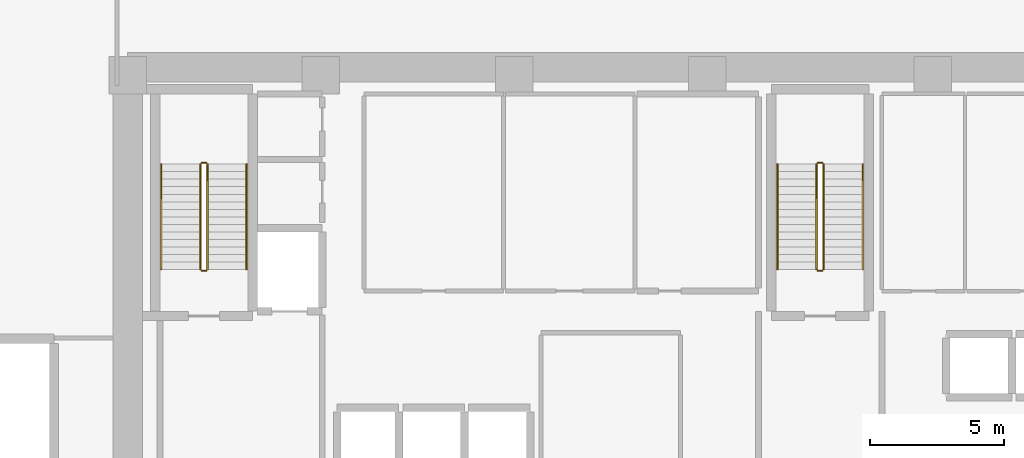
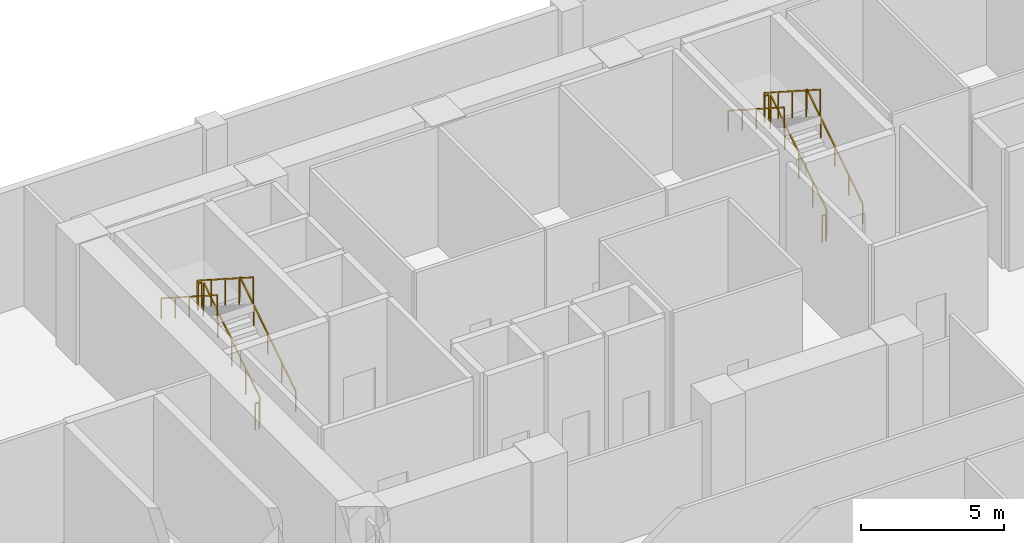
# One storey, part 24 of 25: 12 railings.
"""IFC4 building model written with IfcOpenShell, lengths in metres."""

from ifc_helpers import new_model, si_unit, direction, frame, origin, origin_2d, place, context, subcontext, project, spatial, rectangle, extrude, material, type_object, element, save


model = new_model("IFC4")

# Units and contexts
model_context = context("Model", 3, precision=1e-05, world=origin(), true_north=direction((0.0, 1.0)))
body_context = subcontext(model_context, "Body", "Model", "MODEL_VIEW")
ifc_project = project(units=[si_unit("LENGTHUNIT", "METRE"), si_unit("AREAUNIT", "SQUARE_METRE"), si_unit("VOLUMEUNIT", "CUBIC_METRE"), si_unit("PLANEANGLEUNIT", "RADIAN"), si_unit("MASSUNIT", "GRAM", prefix="KILO")], contexts=[model_context])

# Site, building, storey
site_placement = place(None, origin())
site = spatial("IfcSite", under=ifc_project, at=site_placement, CompositionType="ELEMENT")
building_placement = place(site_placement, origin())
building = spatial("IfcBuilding", under=site, at=building_placement, Name="Kaelvorn Grand Hotel", CompositionType="ELEMENT")
storey_placement = place(building_placement, frame((0.0, 0.0, 26.0)))
storey = spatial("IfcBuildingStorey", under=building, at=storey_placement, Name="L04", CompositionType="ELEMENT", Elevation=26.0)

# Railings
ifc_material = material(Name="Stainless Steel", Category="steel")
railing_type_1 = type_object("IfcRailingType", Name="RL-HANDRAIL-900", PredefinedType="HANDRAIL", material=ifc_material)
railing_1_placement = place(storey_placement, frame((20.6298828125, 41.760009765625, 0.179931640625)))
element("IfcRailing", 1, at=railing_1_placement, inside=storey, type_object=railing_type_1, Name="L04 ST1 stair handrail 1", PredefinedType="HANDRAIL", context=body_context, shape_type="SweptSolid", body=[
    extrude(rectangle(XDim=0.048095703125, YDim=0.048095703125, at=origin_2d()), frame((0.0, 0.0, 0.8759765625), z_axis=(0.0, 0.841171666519, 0.540768182723), x_axis=(-1.0, 0.0, 0.0)), (0.0, 0.0, 1.0), 4.66015625),
    extrude(rectangle(XDim=0.0419921875, YDim=0.0419921875, at=origin_2d()), origin(), (0.0, 0.0, 1.0), 0.851806640625),
    extrude(rectangle(XDim=0.0419921875, YDim=0.0419921875, at=origin_2d()), frame((0.0, 0.97998046875, 0.6298828125)), (0.0, 0.0, 1.0), 0.851806640625),
    extrude(rectangle(XDim=0.0419921875, YDim=0.0419921875, at=origin_2d()), frame((0.0, 1.9599609375, 1.260009765625)), (0.0, 0.0, 1.0), 0.851806640625),
    extrude(rectangle(XDim=0.0419921875, YDim=0.0419921875, at=origin_2d()), frame((0.0, 2.93994140625, 1.89013671875)), (0.0, 0.0, 1.0), 0.851806640625),
    extrude(rectangle(XDim=0.0419921875, YDim=0.0419921875, at=origin_2d()), frame((0.0, 3.919921875, 2.52001953125)), (0.0, 0.0, 1.0), 0.851806640625),
])
railing_2_placement = place(storey_placement, frame((17.449951171875, 45.679931640625, 2.8798828125)))
element("IfcRailing", 2, at=railing_2_placement, inside=storey, type_object=railing_type_1, Name="L04 ST1 stair handrail 2", PredefinedType="HANDRAIL", context=body_context, shape_type="SweptSolid", body=[
    extrude(rectangle(XDim=0.048095703125, YDim=0.048095703125, at=origin_2d()), frame((0.0, 0.0, 0.8759765625), z_axis=(0.0, -0.841171666519, 0.540768182723), x_axis=(1.0, 0.0, 0.0)), (0.0, 0.0, 1.0), 4.66015625),
    extrude(rectangle(XDim=0.0419921875, YDim=0.0419921875, at=origin_2d()), origin(), (0.0, 0.0, 1.0), 0.851806640625),
    extrude(rectangle(XDim=0.0419921875, YDim=0.0419921875, at=origin_2d()), frame((0.0, -0.97998046875, 0.6298828125)), (0.0, 0.0, 1.0), 0.851806640625),
    extrude(rectangle(XDim=0.0419921875, YDim=0.0419921875, at=origin_2d()), frame((0.0, -1.9599609375, 1.260009765625)), (0.0, 0.0, 1.0), 0.851806640625),
    extrude(rectangle(XDim=0.0419921875, YDim=0.0419921875, at=origin_2d()), frame((0.0, -2.93994140625, 1.89013671875)), (0.0, 0.0, 1.0), 0.851806640625),
    extrude(rectangle(XDim=0.0419921875, YDim=0.0419921875, at=origin_2d()), frame((0.0, -3.919921875, 2.52001953125)), (0.0, 0.0, 1.0), 0.851806640625),
])
railing_3_placement = place(storey_placement, frame((43.590087890625, 41.760009765625, 0.179931640625)))
element("IfcRailing", 3, at=railing_3_placement, inside=storey, type_object=railing_type_1, Name="L04 ST2 stair handrail 1", PredefinedType="HANDRAIL", context=body_context, shape_type="SweptSolid", body=[
    extrude(rectangle(XDim=0.048095703125, YDim=0.048095703125, at=origin_2d()), frame((0.0, 0.0, 0.8759765625), z_axis=(0.0, 0.841171666519, 0.540768182723), x_axis=(-1.0, 0.0, 0.0)), (0.0, 0.0, 1.0), 4.66015625),
    extrude(rectangle(XDim=0.0419921875, YDim=0.0419921875, at=origin_2d()), origin(), (0.0, 0.0, 1.0), 0.851806640625),
    extrude(rectangle(XDim=0.0419921875, YDim=0.0419921875, at=origin_2d()), frame((0.0, 0.97998046875, 0.6298828125)), (0.0, 0.0, 1.0), 0.851806640625),
    extrude(rectangle(XDim=0.0419921875, YDim=0.0419921875, at=origin_2d()), frame((0.0, 1.9599609375, 1.260009765625)), (0.0, 0.0, 1.0), 0.851806640625),
    extrude(rectangle(XDim=0.0419921875, YDim=0.0419921875, at=origin_2d()), frame((0.0, 2.93994140625, 1.89013671875)), (0.0, 0.0, 1.0), 0.851806640625),
    extrude(rectangle(XDim=0.0419921875, YDim=0.0419921875, at=origin_2d()), frame((0.0, 3.919921875, 2.52001953125)), (0.0, 0.0, 1.0), 0.851806640625),
])
railing_4_placement = place(storey_placement, frame((40.409912109375, 45.679931640625, 2.8798828125)))
element("IfcRailing", 4, at=railing_4_placement, inside=storey, type_object=railing_type_1, Name="L04 ST2 stair handrail 2", PredefinedType="HANDRAIL", context=body_context, shape_type="SweptSolid", body=[
    extrude(rectangle(XDim=0.048095703125, YDim=0.048095703125, at=origin_2d()), frame((0.0, 0.0, 0.8759765625), z_axis=(0.0, -0.841171666519, 0.540768182723), x_axis=(1.0, 0.0, 0.0)), (0.0, 0.0, 1.0), 4.66015625),
    extrude(rectangle(XDim=0.0419921875, YDim=0.0419921875, at=origin_2d()), origin(), (0.0, 0.0, 1.0), 0.851806640625),
    extrude(rectangle(XDim=0.0419921875, YDim=0.0419921875, at=origin_2d()), frame((0.0, -0.97998046875, 0.6298828125)), (0.0, 0.0, 1.0), 0.851806640625),
    extrude(rectangle(XDim=0.0419921875, YDim=0.0419921875, at=origin_2d()), frame((0.0, -1.9599609375, 1.260009765625)), (0.0, 0.0, 1.0), 0.851806640625),
    extrude(rectangle(XDim=0.0419921875, YDim=0.0419921875, at=origin_2d()), frame((0.0, -2.93994140625, 1.89013671875)), (0.0, 0.0, 1.0), 0.851806640625),
    extrude(rectangle(XDim=0.0419921875, YDim=0.0419921875, at=origin_2d()), frame((0.0, -3.919921875, 2.52001953125)), (0.0, 0.0, 1.0), 0.851806640625),
])
railing_type_2 = type_object("IfcRailingType", Name="RL-STAIR-GUARD-1150", PredefinedType="BALUSTRADE", material=ifc_material)
railing_5_placement = place(storey_placement, frame((19.169921875, 41.760009765625, 0.179931640625)))
element("IfcRailing", 5, at=railing_5_placement, inside=storey, type_object=railing_type_2, Name="L04 ST1 stair guard 1", PredefinedType="BALUSTRADE", context=body_context, shape_type="SweptSolid", body=[
    extrude(rectangle(XDim=0.048095703125, YDim=0.048095703125, at=origin_2d()), frame((0.0, 0.0, 1.1259765625), z_axis=(0.0, 0.841171666519, 0.540768182723), x_axis=(-1.0, 0.0, 0.0)), (0.0, 0.0, 1.0), 4.66015625),
    extrude(rectangle(XDim=0.0419921875, YDim=0.0419921875, at=origin_2d()), origin(), (0.0, 0.0, 1.0), 1.101806640625),
    extrude(rectangle(XDim=0.0419921875, YDim=0.0419921875, at=origin_2d()), frame((0.0, 0.97998046875, 0.6298828125)), (0.0, 0.0, 1.0), 1.101806640625),
    extrude(rectangle(XDim=0.0419921875, YDim=0.0419921875, at=origin_2d()), frame((0.0, 1.9599609375, 1.260009765625)), (0.0, 0.0, 1.0), 1.101806640625),
    extrude(rectangle(XDim=0.0419921875, YDim=0.0419921875, at=origin_2d()), frame((0.0, 2.93994140625, 1.89013671875)), (0.0, 0.0, 1.0), 1.101806640625),
    extrude(rectangle(XDim=0.0419921875, YDim=0.0419921875, at=origin_2d()), frame((0.0, 3.919921875, 2.52001953125)), (0.0, 0.0, 1.0), 1.101806640625),
])
railing_6_placement = place(storey_placement, frame((19.1201171875, 45.72998046875, 2.699951171875)))
element("IfcRailing", 6, at=railing_6_placement, inside=storey, type_object=railing_type_2, Name="L04 ST1 stair guard 2", PredefinedType="BALUSTRADE", context=body_context, shape_type="SweptSolid", body=[
    extrude(rectangle(XDim=0.048095703125, YDim=0.048095703125, at=origin_2d()), frame((0.0, 0.0, 1.1259765625), z_axis=(-1.0, 0.0, 0.0), x_axis=(0.0, -1.0, 0.0)), (0.0, 0.0, 1.0), 0.16015625),
    extrude(rectangle(XDim=0.0419921875, YDim=0.0419921875, at=origin_2d()), origin(), (0.0, 0.0, 1.0), 1.101806640625),
    extrude(rectangle(XDim=0.0419921875, YDim=0.0419921875, at=origin_2d()), frame((-0.16015625, 0.0, 0.0)), (0.0, 0.0, 1.0), 1.101806640625),
])
railing_7_placement = place(storey_placement, frame((18.909912109375, 45.679931640625, 2.8798828125)))
element("IfcRailing", 7, at=railing_7_placement, inside=storey, type_object=railing_type_2, Name="L04 ST1 stair guard 3", PredefinedType="BALUSTRADE", context=body_context, shape_type="SweptSolid", body=[
    extrude(rectangle(XDim=0.048095703125, YDim=0.048095703125, at=origin_2d()), frame((0.0, 0.0, 1.1259765625), z_axis=(0.0, -0.841171666519, 0.540768182723), x_axis=(1.0, 0.0, 0.0)), (0.0, 0.0, 1.0), 4.66015625),
    extrude(rectangle(XDim=0.0419921875, YDim=0.0419921875, at=origin_2d()), origin(), (0.0, 0.0, 1.0), 1.101806640625),
    extrude(rectangle(XDim=0.0419921875, YDim=0.0419921875, at=origin_2d()), frame((0.0, -0.97998046875, 0.6298828125)), (0.0, 0.0, 1.0), 1.101806640625),
    extrude(rectangle(XDim=0.0419921875, YDim=0.0419921875, at=origin_2d()), frame((0.0, -1.9599609375, 1.260009765625)), (0.0, 0.0, 1.0), 1.101806640625),
    extrude(rectangle(XDim=0.0419921875, YDim=0.0419921875, at=origin_2d()), frame((0.0, -2.93994140625, 1.89013671875)), (0.0, 0.0, 1.0), 1.101806640625),
    extrude(rectangle(XDim=0.0419921875, YDim=0.0419921875, at=origin_2d()), frame((0.0, -3.919921875, 2.52001953125)), (0.0, 0.0, 1.0), 1.101806640625),
])
railing_8_placement = place(storey_placement, frame((19.1201171875, 41.7099609375, 0.0)))
element("IfcRailing", 8, at=railing_8_placement, inside=storey, type_object=railing_type_2, Name="L04 ST1 stair guard 4", PredefinedType="BALUSTRADE", context=body_context, shape_type="SweptSolid", body=[
    extrude(rectangle(XDim=0.048095703125, YDim=0.048095703125, at=origin_2d()), frame((0.0, 0.0, 1.1259765625), z_axis=(-1.0, 0.0, 0.0), x_axis=(0.0, -1.0, 0.0)), (0.0, 0.0, 1.0), 0.16015625),
    extrude(rectangle(XDim=0.0419921875, YDim=0.0419921875, at=origin_2d()), origin(), (0.0, 0.0, 1.0), 1.101806640625),
    extrude(rectangle(XDim=0.0419921875, YDim=0.0419921875, at=origin_2d()), frame((-0.16015625, 0.0, 0.0)), (0.0, 0.0, 1.0), 1.101806640625),
])
railing_9_placement = place(storey_placement, frame((42.1298828125, 41.760009765625, 0.179931640625)))
element("IfcRailing", 9, at=railing_9_placement, inside=storey, type_object=railing_type_2, Name="L04 ST2 stair guard 1", PredefinedType="BALUSTRADE", context=body_context, shape_type="SweptSolid", body=[
    extrude(rectangle(XDim=0.048095703125, YDim=0.048095703125, at=origin_2d()), frame((0.0, 0.0, 1.1259765625), z_axis=(0.0, 0.841171666519, 0.540768182723), x_axis=(-1.0, 0.0, 0.0)), (0.0, 0.0, 1.0), 4.66015625),
    extrude(rectangle(XDim=0.0419921875, YDim=0.0419921875, at=origin_2d()), origin(), (0.0, 0.0, 1.0), 1.101806640625),
    extrude(rectangle(XDim=0.0419921875, YDim=0.0419921875, at=origin_2d()), frame((0.0, 0.97998046875, 0.6298828125)), (0.0, 0.0, 1.0), 1.101806640625),
    extrude(rectangle(XDim=0.0419921875, YDim=0.0419921875, at=origin_2d()), frame((0.0, 1.9599609375, 1.260009765625)), (0.0, 0.0, 1.0), 1.101806640625),
    extrude(rectangle(XDim=0.0419921875, YDim=0.0419921875, at=origin_2d()), frame((0.0, 2.93994140625, 1.89013671875)), (0.0, 0.0, 1.0), 1.101806640625),
    extrude(rectangle(XDim=0.0419921875, YDim=0.0419921875, at=origin_2d()), frame((0.0, 3.919921875, 2.52001953125)), (0.0, 0.0, 1.0), 1.101806640625),
])
railing_10_placement = place(storey_placement, frame((42.080078125, 45.72998046875, 2.699951171875)))
element("IfcRailing", 10, at=railing_10_placement, inside=storey, type_object=railing_type_2, Name="L04 ST2 stair guard 2", PredefinedType="BALUSTRADE", context=body_context, shape_type="SweptSolid", body=[
    extrude(rectangle(XDim=0.048095703125, YDim=0.048095703125, at=origin_2d()), frame((0.0, 0.0, 1.1259765625), z_axis=(-1.0, 0.0, 0.0), x_axis=(0.0, -1.0, 0.0)), (0.0, 0.0, 1.0), 0.16015625),
    extrude(rectangle(XDim=0.0419921875, YDim=0.0419921875, at=origin_2d()), origin(), (0.0, 0.0, 1.0), 1.101806640625),
    extrude(rectangle(XDim=0.0419921875, YDim=0.0419921875, at=origin_2d()), frame((-0.16015625, 0.0, 0.0)), (0.0, 0.0, 1.0), 1.101806640625),
])
railing_11_placement = place(storey_placement, frame((41.8701171875, 45.679931640625, 2.8798828125)))
element("IfcRailing", 11, at=railing_11_placement, inside=storey, type_object=railing_type_2, Name="L04 ST2 stair guard 3", PredefinedType="BALUSTRADE", context=body_context, shape_type="SweptSolid", body=[
    extrude(rectangle(XDim=0.048095703125, YDim=0.048095703125, at=origin_2d()), frame((0.0, 0.0, 1.1259765625), z_axis=(0.0, -0.841171666519, 0.540768182723), x_axis=(1.0, 0.0, 0.0)), (0.0, 0.0, 1.0), 4.66015625),
    extrude(rectangle(XDim=0.0419921875, YDim=0.0419921875, at=origin_2d()), origin(), (0.0, 0.0, 1.0), 1.101806640625),
    extrude(rectangle(XDim=0.0419921875, YDim=0.0419921875, at=origin_2d()), frame((0.0, -0.97998046875, 0.6298828125)), (0.0, 0.0, 1.0), 1.101806640625),
    extrude(rectangle(XDim=0.0419921875, YDim=0.0419921875, at=origin_2d()), frame((0.0, -1.9599609375, 1.260009765625)), (0.0, 0.0, 1.0), 1.101806640625),
    extrude(rectangle(XDim=0.0419921875, YDim=0.0419921875, at=origin_2d()), frame((0.0, -2.93994140625, 1.89013671875)), (0.0, 0.0, 1.0), 1.101806640625),
    extrude(rectangle(XDim=0.0419921875, YDim=0.0419921875, at=origin_2d()), frame((0.0, -3.919921875, 2.52001953125)), (0.0, 0.0, 1.0), 1.101806640625),
])
railing_12_placement = place(storey_placement, frame((42.080078125, 41.7099609375, 0.0)))
element("IfcRailing", 12, at=railing_12_placement, inside=storey, type_object=railing_type_2, Name="L04 ST2 stair guard 4", PredefinedType="BALUSTRADE", context=body_context, shape_type="SweptSolid", body=[
    extrude(rectangle(XDim=0.048095703125, YDim=0.048095703125, at=origin_2d()), frame((0.0, 0.0, 1.1259765625), z_axis=(-1.0, 0.0, 0.0), x_axis=(0.0, -1.0, 0.0)), (0.0, 0.0, 1.0), 0.16015625),
    extrude(rectangle(XDim=0.0419921875, YDim=0.0419921875, at=origin_2d()), origin(), (0.0, 0.0, 1.0), 1.101806640625),
    extrude(rectangle(XDim=0.0419921875, YDim=0.0419921875, at=origin_2d()), frame((-0.16015625, 0.0, 0.0)), (0.0, 0.0, 1.0), 1.101806640625),
])

save(model, "model.ifc")
